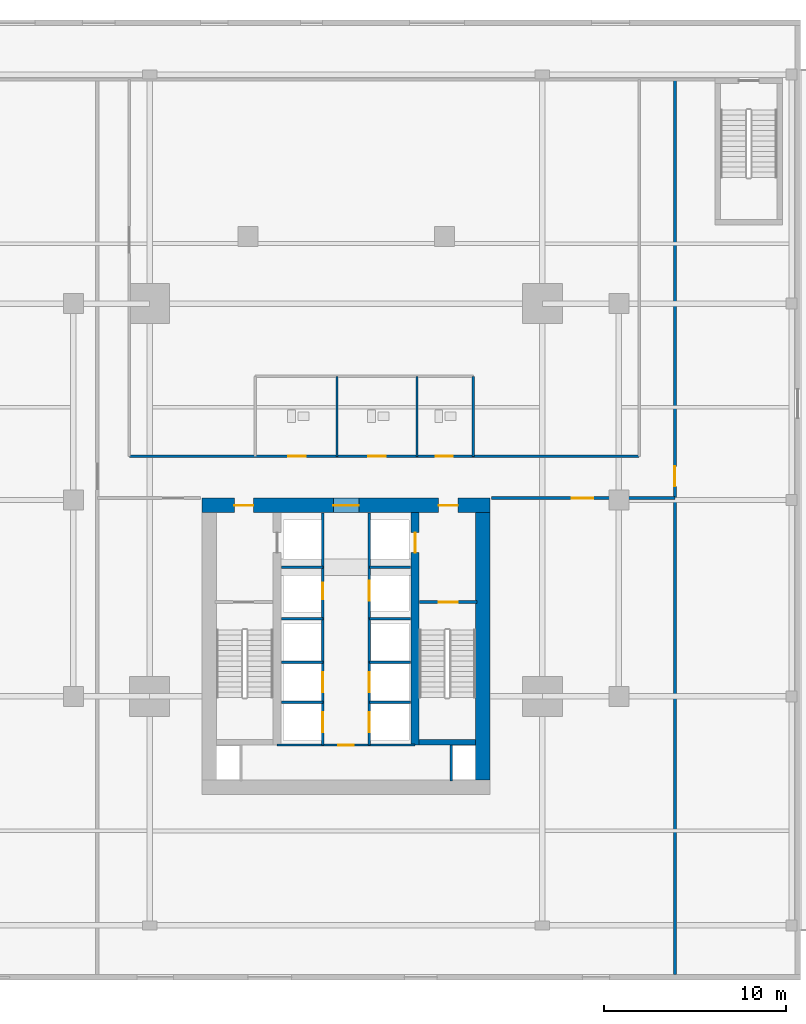
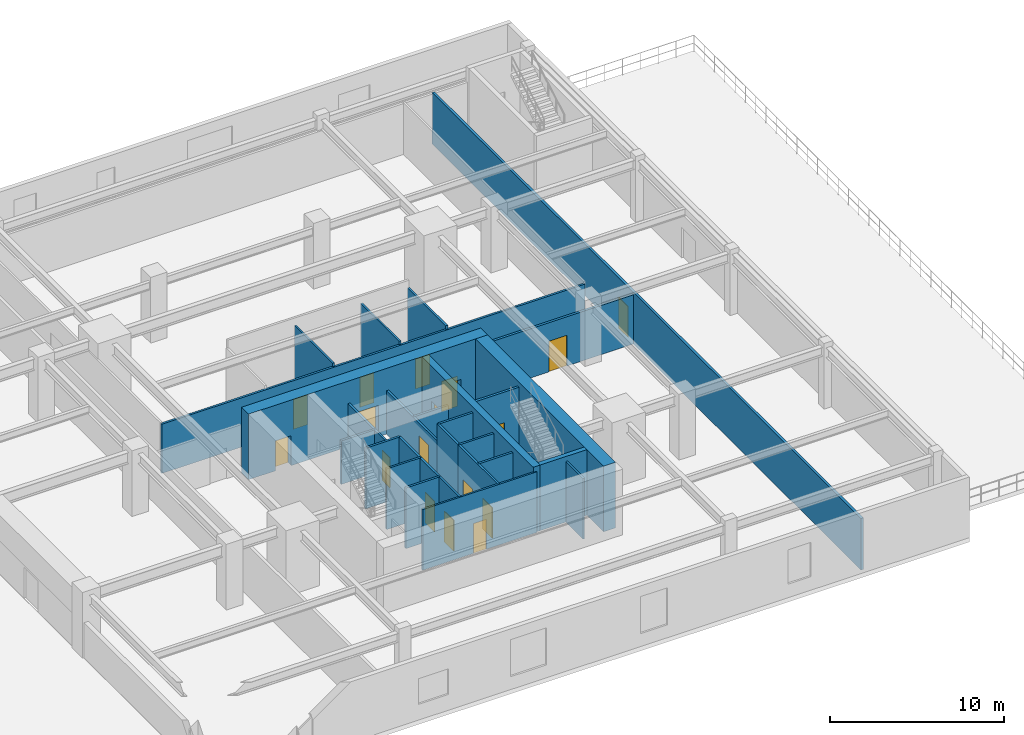
# One storey, part 3 of 9: 27 walls, 17 doors, 17 openings.
"""IFC4 building model written with IfcOpenShell, lengths in metres."""

from ifc_helpers import new_model, si_unit, direction, frame, frame_2d, origin, place, context, subcontext, project, spatial, rectangle, extrude, material, layer, layer_set, type_object, element, fill, save


model = new_model("IFC4")

# Units and contexts
model_context = context("Model", 3, precision=1e-05, world=origin(), true_north=direction((0.0, 1.0)))
body_context = subcontext(model_context, "Body", "Model", "MODEL_VIEW")
ifc_project = project(units=[si_unit("LENGTHUNIT", "METRE"), si_unit("AREAUNIT", "SQUARE_METRE"), si_unit("VOLUMEUNIT", "CUBIC_METRE"), si_unit("PLANEANGLEUNIT", "RADIAN"), si_unit("MASSUNIT", "GRAM", prefix="KILO")], contexts=[model_context])

# Site, building, storey
site_placement = place(None, origin())
site = spatial("IfcSite", under=ifc_project, at=site_placement, CompositionType="ELEMENT")
building_placement = place(site_placement, origin())
building = spatial("IfcBuilding", under=site, at=building_placement, Name="Krantzveldt Concourse Tower", CompositionType="ELEMENT")
storey_placement = place(building_placement, frame((0.0, 0.0, 15.39990234375)))
storey = spatial("IfcBuildingStorey", under=building, at=storey_placement, Name="L03", CompositionType="ELEMENT", Elevation=15.39990234375)

# Wall, opening, door
ifc_material_1 = material(Name="Fire-rated gypsum plasterboard on steel stud", Category="steel")
ifc_layer_1 = layer(ifc_material_1, 0.1201171875, Name="Fire-rated gypsum plasterboard on steel stud", Category="steel")
ifc_layer_set_1 = layer_set([ifc_layer_1], Name="Fire-rated gypsum plasterboard on steel stud (WL-PART-120)")
wall_type_1 = type_object("IfcWallType", Name="WL-PART-120", PredefinedType="PARTITIONING", material=ifc_layer_set_1)
wall_1_placement = place(storey_placement, frame((32.2099609375, 13.219970703125, 0.0), z_axis=(0.0, 0.0, 1.0), x_axis=(1.0, 0.0, 0.0)))
wall_1 = element("IfcWall", 1, at=wall_1_placement, inside=storey, type_object=wall_type_1, Name="WP-L03-CS2H", PredefinedType="PARTITIONING", context=body_context, shape_type="SweptSolid", body=[
    extrude(rectangle(XDim=7.580078125, YDim=0.1201171875, at=frame_2d((3.7900390625, 0.0))), origin(), (0.0, 0.0, 1.0), 4.25),
])
opening_1_placement = place(wall_1_placement, frame((3.364990234375, 0.0, 0.0)))
opening_1 = element("IfcOpeningElement", 2, at=opening_1_placement, cuts=wall_1, Name="Opening D-IN085", PredefinedType="OPENING", context=body_context, shape_type="SweptSolid", body=[
    extrude(rectangle(XDim=0.85009765625, YDim=2.10009765625, at=frame_2d((0.425048828125, 1.050048828125))), frame((0.0, 0.070068359375, 0.0), z_axis=(0.0, -1.0, 0.0), x_axis=(1.0, 0.0, 0.0)), (0.0, 0.0, 1.0), 0.14013671875),
])
ifc_material_2 = material(Name="Hardwood timber", Category="wood")
door_type_1 = type_object("IfcDoorType", Name="DR-INT-850", OperationType="SINGLE_SWING_LEFT", PredefinedType="DOOR", material=ifc_material_2)
door_1_placement = place(opening_1_placement, origin())
door_1 = element("IfcDoor", 3, at=door_1_placement, inside=storey, type_object=door_type_1, Name="DR-L03-CSC1", OperationType="SINGLE_SWING_RIGHT", OverallHeight=2.10009765625, OverallWidth=0.85009765625, PredefinedType="DOOR", context=body_context, shape_type="SweptSolid", body=[
    extrude(rectangle(XDim=0.85009765625, YDim=2.10009765625, at=frame_2d((0.425048828125, 1.050048828125))), frame((0.0, 0.02490234375, 0.0), z_axis=(0.0, -1.0, 0.0), x_axis=(1.0, 0.0, 0.0)), (0.0, 0.0, 1.0), 0.050048828125),
])
fill(opening_1, door_1)

# Walls
for number, where, z_axis, x_axis, name in (
    (4, (35.5, 29.10009765625, 0.0), (0.0, 0.0, 1.0), (0.0, 1.0, 0.0), "WP-L03-WCD1"),
    (5, (39.89990234375, 29.10009765625, 0.0), (0.0, 0.0, 1.0), (0.0, 1.0, 0.0), "WP-L03-WCD2"),
):
    element("IfcWall", number, at=place(storey_placement, frame(where, z_axis=z_axis, x_axis=x_axis)), inside=storey, type_object=wall_type_1, Name=name, PredefinedType="PARTITIONING", context=body_context, shape_type="SweptSolid", body=[
        extrude(rectangle(XDim=4.39990234375, YDim=0.1201171875, at=frame_2d((2.199951171875, 0.0))), origin(), (0.0, 0.0, 1.0), 3.7001953125),
    ])

# Wall, openings, doors
ifc_layer_2 = layer(ifc_material_1, 0.139892578125, Name="Fire-rated gypsum plasterboard on steel stud", Category="steel")
ifc_layer_set_2 = layer_set([ifc_layer_2], Name="Fire-rated gypsum plasterboard on steel stud (WL-PART-140)")
wall_type_2 = type_object("IfcWallType", Name="WL-PART-140", PredefinedType="PARTITIONING", material=ifc_layer_set_2)
wall_2_placement = place(storey_placement, frame((24.080078125, 29.10009765625, 0.0), z_axis=(0.0, 0.0, 1.0), x_axis=(1.0, 0.0, 0.0)))
wall_2 = element("IfcWall", 6, at=wall_2_placement, inside=storey, type_object=wall_type_2, Name="WP-L03-CN1", PredefinedType="PARTITIONING", context=body_context, shape_type="SweptSolid", body=[
    extrude(rectangle(XDim=28.0400390625, YDim=0.139892578125, at=frame_2d((14.02001953125, 0.0))), origin(), (0.0, 0.0, 1.0), 3.4501953125),
])
opening_2_placement = place(wall_2_placement, frame((8.7451171875, 0.0, 0.0)))
opening_2 = element("IfcOpeningElement", 7, at=opening_2_placement, cuts=wall_2, Name="Opening D-IN095", PredefinedType="OPENING", context=body_context, shape_type="SweptSolid", body=[
    extrude(rectangle(XDim=0.949951171875, YDim=2.10009765625, at=frame_2d((0.47509765625, 1.050048828125))), frame((0.0, 0.080078125, 0.0), z_axis=(0.0, -1.0, 0.0), x_axis=(1.0, 0.0, 0.0)), (0.0, 0.0, 1.0), 0.159912109375),
])
opening_3_placement = place(wall_2_placement, frame((13.14501953125, 0.0, 0.0)))
opening_3 = element("IfcOpeningElement", 8, at=opening_3_placement, cuts=wall_2, Name="Opening D-IN095", PredefinedType="OPENING", context=body_context, shape_type="SweptSolid", body=[
    extrude(rectangle(XDim=0.949951171875, YDim=2.10009765625, at=frame_2d((0.47509765625, 1.050048828125))), frame((0.0, 0.080078125, 0.0), z_axis=(0.0, -1.0, 0.0), x_axis=(1.0, 0.0, 0.0)), (0.0, 0.0, 1.0), 0.159912109375),
])
opening_4_placement = place(wall_2_placement, frame((16.844970703125, 0.0, 0.0)))
opening_4 = element("IfcOpeningElement", 9, at=opening_4_placement, cuts=wall_2, Name="Opening D-IN095", PredefinedType="OPENING", context=body_context, shape_type="SweptSolid", body=[
    extrude(rectangle(XDim=0.949951171875, YDim=2.10009765625, at=frame_2d((0.47509765625, 1.050048828125))), frame((0.0, 0.080078125, 0.0), z_axis=(0.0, -1.0, 0.0), x_axis=(1.0, 0.0, 0.0)), (0.0, 0.0, 1.0), 0.159912109375),
])
door_type_2 = type_object("IfcDoorType", Name="DR-INT-950", OperationType="SINGLE_SWING_LEFT", PredefinedType="DOOR", material=ifc_material_2)
door_2_placement = place(opening_2_placement, origin())
door_2 = element("IfcDoor", 10, at=door_2_placement, inside=storey, type_object=door_type_2, Name="DR-L03-WCM", OperationType="SINGLE_SWING_LEFT", OverallHeight=2.10009765625, OverallWidth=0.949951171875, PredefinedType="DOOR", context=body_context, shape_type="SweptSolid", body=[
    extrude(rectangle(XDim=0.949951171875, YDim=2.10009765625, at=frame_2d((0.47509765625, 1.050048828125))), frame((0.0, 0.02490234375, 0.0), z_axis=(0.0, -1.0, 0.0), x_axis=(1.0, 0.0, 0.0)), (0.0, 0.0, 1.0), 0.050048828125),
])
fill(opening_2, door_2)
door_3_placement = place(opening_3_placement, origin())
door_3 = element("IfcDoor", 11, at=door_3_placement, inside=storey, type_object=door_type_2, Name="DR-L03-WCF", OperationType="SINGLE_SWING_RIGHT", OverallHeight=2.10009765625, OverallWidth=0.949951171875, PredefinedType="DOOR", context=body_context, shape_type="SweptSolid", body=[
    extrude(rectangle(XDim=0.949951171875, YDim=2.10009765625, at=frame_2d((0.47509765625, 1.050048828125))), frame((0.0, 0.02490234375, 0.0), z_axis=(0.0, -1.0, 0.0), x_axis=(1.0, 0.0, 0.0)), (0.0, 0.0, 1.0), 0.050048828125),
])
fill(opening_3, door_3)
door_4_placement = place(opening_4_placement, origin())
door_4 = element("IfcDoor", 12, at=door_4_placement, inside=storey, type_object=door_type_2, Name="DR-L03-WCA", OperationType="SINGLE_SWING_LEFT", OverallHeight=2.10009765625, OverallWidth=0.949951171875, PredefinedType="DOOR", context=body_context, shape_type="SweptSolid", body=[
    extrude(rectangle(XDim=0.949951171875, YDim=2.10009765625, at=frame_2d((0.47509765625, 1.050048828125))), frame((0.0, 0.02490234375, 0.0), z_axis=(0.0, -1.0, 0.0), x_axis=(1.0, 0.0, 0.0)), (0.0, 0.0, 1.0), 0.050048828125),
])
fill(opening_4, door_4)

# Wall
wall_3_placement = place(storey_placement, frame((43.0, 29.10009765625, 0.0), z_axis=(0.0, 0.0, 1.0), x_axis=(0.0, 1.0, 0.0)))
element("IfcWall", 13, at=wall_3_placement, inside=storey, type_object=wall_type_2, Name="WP-L03-WCE", PredefinedType="PARTITIONING", context=body_context, shape_type="SweptSolid", body=[
    extrude(rectangle(XDim=4.39990234375, YDim=0.139892578125, at=frame_2d((2.199951171875, 0.0))), origin(), (0.0, 0.0, 1.0), 3.7001953125),
])

# Wall, opening, door
ifc_layer_3 = layer(ifc_material_1, 0.159912109375, Name="Fire-rated gypsum plasterboard on steel stud", Category="steel")
ifc_layer_set_3 = layer_set([ifc_layer_3], Name="Fire-rated gypsum plasterboard on steel stud (WL-PART-160)")
wall_type_3 = type_object("IfcWallType", Name="WL-PART-160", PredefinedType="PARTITIONING", material=ifc_layer_set_3)
wall_4_placement = place(storey_placement, frame((44.0, 26.800048828125, 0.0), z_axis=(0.0, 0.0, 1.0), x_axis=(1.0, 0.0, 0.0)))
wall_4 = element("IfcWall", 14, at=wall_4_placement, inside=storey, type_object=wall_type_3, Name="WP-L03-S2", PredefinedType="PARTITIONING", context=body_context, shape_type="SweptSolid", body=[
    extrude(rectangle(XDim=10.080078125, YDim=0.159912109375, at=frame_2d((5.0400390625, 0.0))), origin(), (0.0, 0.0, 1.0), 3.4501953125),
])
opening_5_placement = place(wall_4_placement, frame((4.39990234375, 0.0, 0.0)))
opening_5 = element("IfcOpeningElement", 15, at=opening_5_placement, cuts=wall_4, Name="Opening D-DB120", PredefinedType="OPENING", context=body_context, shape_type="SweptSolid", body=[
    extrude(rectangle(XDim=1.199951171875, YDim=2.14990234375, at=frame_2d((0.60009765625, 1.074951171875))), frame((0.0, 0.08984375, 0.0), z_axis=(0.0, -1.0, 0.0), x_axis=(1.0, 0.0, 0.0)), (0.0, 0.0, 1.0), 0.179931640625),
])
ifc_material_3 = material(Name="Anodised aluminium 6063-T6", Category="aluminium")
door_type_3 = type_object("IfcDoorType", Name="DR-DBL-1200", OperationType="SINGLE_SWING_LEFT", PredefinedType="DOOR", material=ifc_material_3)
door_5_placement = place(opening_5_placement, origin())
door_5 = element("IfcDoor", 16, at=door_5_placement, inside=storey, type_object=door_type_3, Name="DR-L03-CLN", OperationType="SINGLE_SWING_RIGHT", OverallHeight=2.14990234375, OverallWidth=1.199951171875, PredefinedType="DOOR", context=body_context, shape_type="SweptSolid", body=[
    extrude(rectangle(XDim=1.199951171875, YDim=2.14990234375, at=frame_2d((0.60009765625, 1.074951171875))), frame((0.0, 0.02490234375, 0.0), z_axis=(0.0, -1.0, 0.0), x_axis=(1.0, 0.0, 0.0)), (0.0, 0.0, 1.0), 0.050048828125),
])
fill(opening_5, door_5)

ifc_layer_4 = layer(ifc_material_1, 0.139892578125, Name="Fire-rated gypsum plasterboard on steel stud", Category="steel")
ifc_layer_set_4 = layer_set([ifc_layer_4], Name="Fire-rated gypsum plasterboard on steel stud (WL-PART-FR140)")
wall_type_4 = type_object("IfcWallType", Name="WL-PART-FR140", PredefinedType="PARTITIONING", material=ifc_layer_set_4)
wall_5_placement = place(storey_placement, frame((34.719970703125, 20.199951171875, 0.0), z_axis=(0.0, 0.0, 1.0), x_axis=(0.0, 1.0, 0.0)))
wall_5 = element("IfcWall", 17, at=wall_5_placement, inside=storey, type_object=wall_type_4, Name="WP-L03-SHNW", PredefinedType="PARTITIONING", context=body_context, shape_type="SweptSolid", body=[
    extrude(rectangle(XDim=5.780029296875, YDim=0.139892578125, at=frame_2d((2.89013671875, 0.0))), origin(), (0.0, 0.0, 1.0), 3.050048828125),
])
opening_6_placement = place(wall_5_placement, frame((1.050048828125, 0.0, 0.0)))
opening_6 = element("IfcOpeningElement", 18, at=opening_6_placement, cuts=wall_5, Name="Opening D-FD090", PredefinedType="OPENING", context=body_context, shape_type="SweptSolid", body=[
    extrude(rectangle(XDim=0.89990234375, YDim=2.10009765625, at=frame_2d((0.449951171875, 1.050048828125))), frame((0.0, 0.080078125, 0.0), z_axis=(0.0, -1.0, 0.0), x_axis=(1.0, 0.0, 0.0)), (0.0, 0.0, 1.0), 0.159912109375),
])
door_type_4 = type_object("IfcDoorType", Name="DR-FD60-900", OperationType="SINGLE_SWING_LEFT", PredefinedType="DOOR", material=ifc_material_2)
door_6_placement = place(opening_6_placement, origin())
door_6 = element("IfcDoor", 19, at=door_6_placement, inside=storey, type_object=door_type_4, Name="Electrical Riser Access Door L03", OperationType="SINGLE_SWING_LEFT", OverallHeight=2.10009765625, OverallWidth=0.89990234375, PredefinedType="DOOR", context=body_context, shape_type="SweptSolid", body=[
    extrude(rectangle(XDim=0.89990234375, YDim=2.10009765625, at=frame_2d((0.449951171875, 1.050048828125))), frame((0.0, 0.02490234375, 0.0), z_axis=(0.0, -1.0, 0.0), x_axis=(1.0, 0.0, 0.0)), (0.0, 0.0, 1.0), 0.050048828125),
])
fill(opening_6, door_6)

wall_6_placement = place(storey_placement, frame((37.280029296875, 20.199951171875, 0.0), z_axis=(0.0, 0.0, 1.0), x_axis=(0.0, 1.0, 0.0)))
wall_6 = element("IfcWall", 20, at=wall_6_placement, inside=storey, type_object=wall_type_4, Name="WP-L03-SHNE", PredefinedType="PARTITIONING", context=body_context, shape_type="SweptSolid", body=[
    extrude(rectangle(XDim=5.780029296875, YDim=0.139892578125, at=frame_2d((2.89013671875, 0.0))), origin(), (0.0, 0.0, 1.0), 3.050048828125),
])
opening_7_placement = place(wall_6_placement, frame((0.949951171875, 0.0, 0.0)))
opening_7 = element("IfcOpeningElement", 21, at=opening_7_placement, cuts=wall_6, Name="Opening LD", PredefinedType="OPENING", context=body_context, shape_type="SweptSolid", body=[
    extrude(rectangle(XDim=1.10009765625, YDim=2.14990234375, at=frame_2d((0.550048828125, 1.074951171875))), frame((0.0, 0.080078125, 0.0), z_axis=(0.0, -1.0, 0.0), x_axis=(1.0, 0.0, 0.0)), (0.0, 0.0, 1.0), 0.159912109375),
])
ifc_material_4 = material(Name="Stainless steel 316L", Category="steel")
door_type_5 = type_object("IfcDoorType", Name="DR-SLIDE-LD1100", OperationType="DOUBLE_DOOR_SLIDING", PredefinedType="DOOR", material=ifc_material_4)
door_7_placement = place(opening_7_placement, origin())
door_7 = element("IfcDoor", 22, at=door_7_placement, inside=storey, type_object=door_type_5, Name="LD-L03-GL1", OperationType="DOUBLE_DOOR_SLIDING", OverallHeight=2.14990234375, OverallWidth=1.10009765625, PredefinedType="DOOR", context=body_context, shape_type="SweptSolid", body=[
    extrude(rectangle(XDim=1.10009765625, YDim=2.14990234375, at=frame_2d((0.550048828125, 1.074951171875))), frame((0.0, 0.02490234375, 0.0), z_axis=(0.0, -1.0, 0.0), x_axis=(1.0, 0.0, 0.0)), (0.0, 0.0, 1.0), 0.050048828125),
])
fill(opening_7, door_7)

# Walls
for number, where, z_axis, x_axis, name in (
    (23, (32.449951171875, 23.0, 0.0), (0.0, 0.0, 1.0), (1.0, 0.0, 0.0), "WP-L03-RISH"),
    (24, (37.280029296875, 23.0, 0.0), (0.0, 0.0, 1.0), (1.0, 0.0, 0.0), "WP-L03-GLH"),
):
    element("IfcWall", number, at=place(storey_placement, frame(where, z_axis=z_axis, x_axis=x_axis)), inside=storey, type_object=wall_type_4, Name=name, PredefinedType="PARTITIONING", context=body_context, shape_type="SweptSolid", body=[
        extrude(rectangle(XDim=2.27001953125, YDim=0.139892578125, at=frame_2d((1.135009765625, 0.0))), origin(), (0.0, 0.0, 1.0), 3.050048828125),
    ])
for number, where, z_axis, x_axis, name in (
    (25, (34.719970703125, 17.780029296875, 0.0), (0.0, 0.0, 1.0), (0.0, 1.0, 0.0), "WP-L03-SHNW2"),
    (26, (37.280029296875, 17.780029296875, 0.0), (0.0, 0.0, 1.0), (0.0, 1.0, 0.0), "WP-L03-SHNE2"),
):
    element("IfcWall", number, at=place(storey_placement, frame(where, z_axis=z_axis, x_axis=x_axis)), inside=storey, type_object=wall_type_4, Name=name, PredefinedType="PARTITIONING", context=body_context, shape_type="SweptSolid", body=[
        extrude(rectangle(XDim=2.419921875, YDim=0.139892578125, at=frame_2d((1.2099609375, 0.0))), origin(), (0.0, 0.0, 1.0), 4.25),
    ])
for number, where, z_axis, x_axis, name in (
    (27, (32.449951171875, 17.780029296875, 0.0), (0.0, 0.0, 1.0), (1.0, 0.0, 0.0), "WP-L03-DIVW2"),
    (28, (32.449951171875, 20.179931640625, 0.0), (0.0, 0.0, 1.0), (1.0, 0.0, 0.0), "WP-L03-DIVW3"),
    (29, (37.280029296875, 17.780029296875, 0.0), (0.0, 0.0, 1.0), (1.0, 0.0, 0.0), "WP-L03-DIVE2"),
    (30, (37.280029296875, 20.179931640625, 0.0), (0.0, 0.0, 1.0), (1.0, 0.0, 0.0), "WP-L03-DIVE3"),
):
    element("IfcWall", number, at=place(storey_placement, frame(where, z_axis=z_axis, x_axis=x_axis)), inside=storey, type_object=wall_type_4, Name=name, PredefinedType="PARTITIONING", context=body_context, shape_type="SweptSolid", body=[
        extrude(rectangle(XDim=2.27001953125, YDim=0.139892578125, at=frame_2d((1.135009765625, 0.0))), origin(), (0.0, 0.0, 1.0), 4.25),
    ])

# Wall, openings, doors
wall_7_placement = place(storey_placement, frame((34.719970703125, 13.219970703125, 0.0), z_axis=(0.0, 0.0, 1.0), x_axis=(0.0, 1.0, 0.0)))
wall_7 = element("IfcWall", 31, at=wall_7_placement, inside=storey, type_object=wall_type_4, Name="WP-L03-SHSW", PredefinedType="PARTITIONING", context=body_context, shape_type="SweptSolid", body=[
    extrude(rectangle(XDim=4.56005859375, YDim=0.139892578125, at=frame_2d((2.280029296875, 0.0))), origin(), (0.0, 0.0, 1.0), 4.25),
])
opening_8_placement = place(wall_7_placement, frame((0.7099609375, 0.0, 0.0)))
opening_8 = element("IfcOpeningElement", 32, at=opening_8_placement, cuts=wall_7, Name="Opening LD", PredefinedType="OPENING", context=body_context, shape_type="SweptSolid", body=[
    extrude(rectangle(XDim=1.10009765625, YDim=2.14990234375, at=frame_2d((0.550048828125, 1.074951171875))), frame((0.0, 0.080078125, 0.0), z_axis=(0.0, -1.0, 0.0), x_axis=(1.0, 0.0, 0.0)), (0.0, 0.0, 1.0), 0.159912109375),
])
opening_9_placement = place(wall_7_placement, frame((2.909912109375, 0.0, 0.0)))
opening_9 = element("IfcOpeningElement", 33, at=opening_9_placement, cuts=wall_7, Name="Opening LD", PredefinedType="OPENING", context=body_context, shape_type="SweptSolid", body=[
    extrude(rectangle(XDim=1.10009765625, YDim=2.14990234375, at=frame_2d((0.550048828125, 1.074951171875))), frame((0.0, 0.080078125, 0.0), z_axis=(0.0, -1.0, 0.0), x_axis=(1.0, 0.0, 0.0)), (0.0, 0.0, 1.0), 0.159912109375),
])
door_8_placement = place(opening_8_placement, origin())
door_8 = element("IfcDoor", 34, at=door_8_placement, inside=storey, type_object=door_type_5, Name="LD-L03-PL1", OperationType="DOUBLE_DOOR_SLIDING", OverallHeight=2.14990234375, OverallWidth=1.10009765625, PredefinedType="DOOR", context=body_context, shape_type="SweptSolid", body=[
    extrude(rectangle(XDim=1.10009765625, YDim=2.14990234375, at=frame_2d((0.550048828125, 1.074951171875))), frame((0.0, 0.02490234375, 0.0), z_axis=(0.0, -1.0, 0.0), x_axis=(1.0, 0.0, 0.0)), (0.0, 0.0, 1.0), 0.050048828125),
])
fill(opening_8, door_8)
door_9_placement = place(opening_9_placement, origin())
door_9 = element("IfcDoor", 35, at=door_9_placement, inside=storey, type_object=door_type_5, Name="LD-L03-PL2", OperationType="DOUBLE_DOOR_SLIDING", OverallHeight=2.14990234375, OverallWidth=1.10009765625, PredefinedType="DOOR", context=body_context, shape_type="SweptSolid", body=[
    extrude(rectangle(XDim=1.10009765625, YDim=2.14990234375, at=frame_2d((0.550048828125, 1.074951171875))), frame((0.0, 0.02490234375, 0.0), z_axis=(0.0, -1.0, 0.0), x_axis=(1.0, 0.0, 0.0)), (0.0, 0.0, 1.0), 0.050048828125),
])
fill(opening_9, door_9)

# Wall
wall_8_placement = place(storey_placement, frame((32.449951171875, 15.580078125, 0.0), z_axis=(0.0, 0.0, 1.0), x_axis=(1.0, 0.0, 0.0)))
element("IfcWall", 36, at=wall_8_placement, inside=storey, type_object=wall_type_4, Name="WP-L03-DIVW1", PredefinedType="PARTITIONING", context=body_context, shape_type="SweptSolid", body=[
    extrude(rectangle(XDim=2.27001953125, YDim=0.139892578125, at=frame_2d((1.135009765625, 0.0))), origin(), (0.0, 0.0, 1.0), 4.25),
])

# Wall, openings, doors
wall_9_placement = place(storey_placement, frame((37.280029296875, 13.219970703125, 0.0), z_axis=(0.0, 0.0, 1.0), x_axis=(0.0, 1.0, 0.0)))
wall_9 = element("IfcWall", 37, at=wall_9_placement, inside=storey, type_object=wall_type_4, Name="WP-L03-SHSE", PredefinedType="PARTITIONING", context=body_context, shape_type="SweptSolid", body=[
    extrude(rectangle(XDim=4.56005859375, YDim=0.139892578125, at=frame_2d((2.280029296875, 0.0))), origin(), (0.0, 0.0, 1.0), 4.25),
])
opening_10_placement = place(wall_9_placement, frame((0.7099609375, 0.0, 0.0)))
opening_10 = element("IfcOpeningElement", 38, at=opening_10_placement, cuts=wall_9, Name="Opening LD", PredefinedType="OPENING", context=body_context, shape_type="SweptSolid", body=[
    extrude(rectangle(XDim=1.10009765625, YDim=2.14990234375, at=frame_2d((0.550048828125, 1.074951171875))), frame((0.0, 0.080078125, 0.0), z_axis=(0.0, -1.0, 0.0), x_axis=(1.0, 0.0, 0.0)), (0.0, 0.0, 1.0), 0.159912109375),
])
opening_11_placement = place(wall_9_placement, frame((2.909912109375, 0.0, 0.0)))
opening_11 = element("IfcOpeningElement", 39, at=opening_11_placement, cuts=wall_9, Name="Opening LD", PredefinedType="OPENING", context=body_context, shape_type="SweptSolid", body=[
    extrude(rectangle(XDim=1.10009765625, YDim=2.14990234375, at=frame_2d((0.550048828125, 1.074951171875))), frame((0.0, 0.080078125, 0.0), z_axis=(0.0, -1.0, 0.0), x_axis=(1.0, 0.0, 0.0)), (0.0, 0.0, 1.0), 0.159912109375),
])
door_10_placement = place(opening_10_placement, origin())
door_10 = element("IfcDoor", 40, at=door_10_placement, inside=storey, type_object=door_type_5, Name="LD-L03-PM1", OperationType="DOUBLE_DOOR_SLIDING", OverallHeight=2.14990234375, OverallWidth=1.10009765625, PredefinedType="DOOR", context=body_context, shape_type="SweptSolid", body=[
    extrude(rectangle(XDim=1.10009765625, YDim=2.14990234375, at=frame_2d((0.550048828125, 1.074951171875))), frame((0.0, 0.02490234375, 0.0), z_axis=(0.0, -1.0, 0.0), x_axis=(1.0, 0.0, 0.0)), (0.0, 0.0, 1.0), 0.050048828125),
])
fill(opening_10, door_10)
door_11_placement = place(opening_11_placement, origin())
door_11 = element("IfcDoor", 41, at=door_11_placement, inside=storey, type_object=door_type_5, Name="LD-L03-PM2", OperationType="DOUBLE_DOOR_SLIDING", OverallHeight=2.14990234375, OverallWidth=1.10009765625, PredefinedType="DOOR", context=body_context, shape_type="SweptSolid", body=[
    extrude(rectangle(XDim=1.10009765625, YDim=2.14990234375, at=frame_2d((0.550048828125, 1.074951171875))), frame((0.0, 0.02490234375, 0.0), z_axis=(0.0, -1.0, 0.0), x_axis=(1.0, 0.0, 0.0)), (0.0, 0.0, 1.0), 0.050048828125),
])
fill(opening_11, door_11)

# Walls
wall_10_placement = place(storey_placement, frame((37.280029296875, 15.580078125, 0.0), z_axis=(0.0, 0.0, 1.0), x_axis=(1.0, 0.0, 0.0)))
element("IfcWall", 42, at=wall_10_placement, inside=storey, type_object=wall_type_4, Name="WP-L03-DIVE1", PredefinedType="PARTITIONING", context=body_context, shape_type="SweptSolid", body=[
    extrude(rectangle(XDim=2.27001953125, YDim=0.139892578125, at=frame_2d((1.135009765625, 0.0))), origin(), (0.0, 0.0, 1.0), 4.25),
])
wall_11_placement = place(storey_placement, frame((41.780029296875, 11.25, 0.0), z_axis=(0.0, 0.0, 1.0), x_axis=(0.0, 1.0, 0.0)))
element("IfcWall", 43, at=wall_11_placement, inside=storey, type_object=wall_type_4, Name="WP-L03-RSE", PredefinedType="PARTITIONING", context=body_context, shape_type="SweptSolid", body=[
    extrude(rectangle(XDim=1.969970703125, YDim=0.1201171875, at=frame_2d((0.98486328125, 0.0))), origin(), (0.0, 0.0, 1.0), 4.25),
])

# Wall, opening, door
ifc_layer_5 = layer(ifc_material_1, 0.159912109375, Name="Fire-rated gypsum plasterboard on steel stud", Category="steel")
ifc_layer_set_5 = layer_set([ifc_layer_5], Name="Fire-rated gypsum plasterboard on steel stud (WL-PART-FR160)")
wall_type_5 = type_object("IfcWallType", Name="WL-PART-FR160", PredefinedType="PARTITIONING", material=ifc_layer_set_5)
wall_12_placement = place(storey_placement, frame((40.0400390625, 21.080078125, 0.0), z_axis=(0.0, 0.0, 1.0), x_axis=(1.0, 0.0, 0.0)))
wall_12 = element("IfcWall", 44, at=wall_12_placement, inside=storey, type_object=wall_type_5, Name="WP-L03-ST2", PredefinedType="PARTITIONING", context=body_context, shape_type="SweptSolid", body=[
    extrude(rectangle(XDim=3.159912109375, YDim=0.159912109375, at=frame_2d((1.580078125, 0.0))), origin(), (0.0, 0.0, 1.0), 4.25),
])
opening_12_placement = place(wall_12_placement, frame((1.054931640625, 0.0, 0.0)))
opening_12 = element("IfcOpeningElement", 45, at=opening_12_placement, cuts=wall_12, Name="Opening D-FD105", PredefinedType="OPENING", context=body_context, shape_type="SweptSolid", body=[
    extrude(rectangle(XDim=1.050048828125, YDim=2.10009765625, at=frame_2d((0.52490234375, 1.050048828125))), frame((0.0, 0.08984375, 0.0), z_axis=(0.0, -1.0, 0.0), x_axis=(1.0, 0.0, 0.0)), (0.0, 0.0, 1.0), 0.179931640625),
])
ifc_material_5 = material(Name="Galvanised steel", Category="steel")
door_type_6 = type_object("IfcDoorType", Name="DR-FD120-1050", OperationType="SINGLE_SWING_LEFT", PredefinedType="DOOR", material=ifc_material_5)
door_12_placement = place(opening_12_placement, origin())
door_12 = element("IfcDoor", 46, at=door_12_placement, inside=storey, type_object=door_type_6, Name="DR-L03-ST2", OperationType="SINGLE_SWING_LEFT", OverallHeight=2.10009765625, OverallWidth=1.050048828125, PredefinedType="DOOR", context=body_context, shape_type="SweptSolid", body=[
    extrude(rectangle(XDim=1.050048828125, YDim=2.10009765625, at=frame_2d((0.52490234375, 1.050048828125))), frame((0.0, 0.02490234375, 0.0), z_axis=(0.0, -1.0, 0.0), x_axis=(1.0, 0.0, 0.0)), (0.0, 0.0, 1.0), 0.050048828125),
])
fill(opening_12, door_12)

wall_13_placement = place(storey_placement, frame((54.080078125, 0.60498046875, 0.0), z_axis=(0.0, 0.0, 1.0), x_axis=(0.0, 1.0, 0.0)))
wall_13 = element("IfcWall", 47, at=wall_13_placement, inside=storey, type_object=wall_type_5, Name="WP-L03-CEL2", PredefinedType="PARTITIONING", context=body_context, shape_type="SweptSolid", body=[
    extrude(rectangle(XDim=49.215087890625, YDim=0.159912109375, at=frame_2d((24.607421875, 0.0))), origin(), (0.0, 0.0, 1.0), 3.610107421875),
])
opening_13_placement = place(wall_13_placement, frame((26.844970703125, 0.0, 0.0)))
opening_13 = element("IfcOpeningElement", 48, at=opening_13_placement, cuts=wall_13, Name="Opening D-FD611", PredefinedType="OPENING", context=body_context, shape_type="SweptSolid", body=[
    extrude(rectangle(XDim=1.10009765625, YDim=2.14990234375, at=frame_2d((0.550048828125, 1.074951171875))), frame((0.0, 0.08984375, 0.0), z_axis=(0.0, -1.0, 0.0), x_axis=(1.0, 0.0, 0.0)), (0.0, 0.0, 1.0), 0.179931640625),
])
door_type_7 = type_object("IfcDoorType", Name="DR-FD60-1100", OperationType="SINGLE_SWING_LEFT", PredefinedType="DOOR", material=ifc_material_2)
door_13_placement = place(opening_13_placement, origin())
door_13 = element("IfcDoor", 49, at=door_13_placement, inside=storey, type_object=door_type_7, Name="DR-L03-GYM", OperationType="SINGLE_SWING_LEFT", OverallHeight=2.14990234375, OverallWidth=1.10009765625, PredefinedType="DOOR", context=body_context, shape_type="SweptSolid", body=[
    extrude(rectangle(XDim=1.10009765625, YDim=2.14990234375, at=frame_2d((0.550048828125, 1.074951171875))), frame((0.0, 0.02490234375, 0.0), z_axis=(0.0, -1.0, 0.0), x_axis=(1.0, 0.0, 0.0)), (0.0, 0.0, 1.0), 0.050048828125),
])
fill(opening_13, door_13)

# Wall
ifc_material_6 = material(Name="Concrete C50/60", Category="concrete")
ifc_layer_6 = layer(ifc_material_6, 0.300048828125, Name="Concrete C50/60", Category="concrete")
ifc_layer_set_6 = layer_set([ifc_layer_6], Name="Concrete C50/60 (WL-SHEAR-300)")
wall_type_6 = type_object("IfcWallType", Name="WL-SHEAR-300", PredefinedType="SHEAR", material=ifc_layer_set_6)
wall_14_placement = place(storey_placement, frame((40.02001953125, 13.3701171875, 0.0), z_axis=(0.0, 0.0, 1.0), x_axis=(1.0, 0.0, 0.0)))
element("IfcWall", 50, at=wall_14_placement, inside=storey, type_object=wall_type_6, Name="CW-L03-ST2S", PredefinedType="SHEAR", context=body_context, shape_type="SweptSolid", body=[
    extrude(rectangle(XDim=3.10009765625, YDim=0.300048828125, at=frame_2d((1.550048828125, 0.0))), origin(), (0.0, 0.0, 1.0), 4.60009765625),
])

# Wall, opening, door
ifc_layer_7 = layer(ifc_material_6, 0.449951171875, Name="Concrete C50/60", Category="concrete")
ifc_layer_set_7 = layer_set([ifc_layer_7], Name="Concrete C50/60 (WL-SHEAR-450)")
wall_type_7 = type_object("IfcWallType", Name="WL-SHEAR-450", PredefinedType="SHEAR", material=ifc_layer_set_7)
wall_15_placement = place(storey_placement, frame((39.794921875, 13.219970703125, 0.0), z_axis=(0.0, 0.0, 1.0), x_axis=(0.0, 1.0, 0.0)))
wall_15 = element("IfcWall", 51, at=wall_15_placement, inside=storey, type_object=wall_type_7, Name="CW-L03-IE", PredefinedType="SHEAR", context=body_context, shape_type="SweptSolid", body=[
    extrude(rectangle(XDim=12.780029296875, YDim=0.449951171875, at=frame_2d((6.39013671875, 0.0))), origin(), (0.0, 0.0, 1.0), 4.60009765625),
])
opening_14_placement = place(wall_15_placement, frame((10.580078125, 0.0, 0.0)))
opening_14 = element("IfcOpeningElement", 52, at=opening_14_placement, cuts=wall_15, Name="Opening LD", PredefinedType="OPENING", context=body_context, shape_type="SweptSolid", body=[
    extrude(rectangle(XDim=1.10009765625, YDim=2.14990234375, at=frame_2d((0.550048828125, 1.074951171875))), frame((0.0, 0.23486328125, 0.0), z_axis=(0.0, -1.0, 0.0), x_axis=(1.0, 0.0, 0.0)), (0.0, 0.0, 1.0), 0.469970703125),
])
door_14_placement = place(opening_14_placement, origin())
door_14 = element("IfcDoor", 53, at=door_14_placement, inside=storey, type_object=door_type_5, Name="LD-L03-FL2", OperationType="DOUBLE_DOOR_SLIDING", OverallHeight=2.14990234375, OverallWidth=1.10009765625, PredefinedType="DOOR", context=body_context, shape_type="SweptSolid", body=[
    extrude(rectangle(XDim=1.10009765625, YDim=2.14990234375, at=frame_2d((0.550048828125, 1.074951171875))), frame((0.0, 0.02490234375, 0.0), z_axis=(0.0, -1.0, 0.0), x_axis=(1.0, 0.0, 0.0)), (0.0, 0.0, 1.0), 0.050048828125),
])
fill(opening_14, door_14)

# Wall, openings, doors
ifc_material_7 = material(Name="Concrete C60/75", Category="concrete")
ifc_layer_8 = layer(ifc_material_7, 0.800048828125, Name="Concrete C60/75", Category="concrete")
ifc_layer_set_8 = layer_set([ifc_layer_8], Name="Concrete C60/75 (WL-SHEAR-800)")
wall_type_8 = type_object("IfcWallType", Name="WL-SHEAR-800", PredefinedType="SHEAR", material=ifc_layer_set_8)
wall_16_placement = place(storey_placement, frame((28.080078125, 26.39990234375, 0.0), z_axis=(0.0, 0.0, 1.0), x_axis=(1.0, 0.0, 0.0)))
wall_16 = element("IfcWall", 54, at=wall_16_placement, inside=storey, type_object=wall_type_8, Name="CW-L03-N", PredefinedType="SHEAR", context=body_context, shape_type="SweptSolid", body=[
    extrude(rectangle(XDim=15.83984375, YDim=0.800048828125, at=frame_2d((7.919921875, 0.0))), origin(), (0.0, 0.0, 1.0), 4.60009765625),
])
opening_15_placement = place(wall_16_placement, frame((7.219970703125, 0.0, 0.0)))
opening_15 = element("IfcOpeningElement", 55, at=opening_15_placement, cuts=wall_16, Name="Opening D-DB140", PredefinedType="OPENING", context=body_context, shape_type="SweptSolid", body=[
    extrude(rectangle(XDim=1.39990234375, YDim=2.199951171875, at=frame_2d((0.699951171875, 1.10009765625))), frame((0.0, 0.41015625, 0.0), z_axis=(0.0, -1.0, 0.0), x_axis=(1.0, 0.0, 0.0)), (0.0, 0.0, 1.0), 0.820068359375),
])
opening_16_placement = place(wall_16_placement, frame((1.77490234375, 0.0, 0.0)))
opening_16 = element("IfcOpeningElement", 56, at=opening_16_placement, cuts=wall_16, Name="Opening D-FD105", PredefinedType="OPENING", context=body_context, shape_type="SweptSolid", body=[
    extrude(rectangle(XDim=1.050048828125, YDim=2.10009765625, at=frame_2d((0.52490234375, 1.050048828125))), frame((0.0, 0.41015625, 0.0), z_axis=(0.0, -1.0, 0.0), x_axis=(1.0, 0.0, 0.0)), (0.0, 0.0, 1.0), 0.820068359375),
])
opening_17_placement = place(wall_16_placement, frame((13.014892578125, 0.0, 0.0)))
opening_17 = element("IfcOpeningElement", 57, at=opening_17_placement, cuts=wall_16, Name="Opening D-FD105", PredefinedType="OPENING", context=body_context, shape_type="SweptSolid", body=[
    extrude(rectangle(XDim=1.050048828125, YDim=2.10009765625, at=frame_2d((0.52490234375, 1.050048828125))), frame((0.0, 0.41015625, 0.0), z_axis=(0.0, -1.0, 0.0), x_axis=(1.0, 0.0, 0.0)), (0.0, 0.0, 1.0), 0.820068359375),
])
door_type_8 = type_object("IfcDoorType", Name="DR-DBL-1400", OperationType="DOUBLE_DOOR_SINGLE_SWING", PredefinedType="DOOR", material=ifc_material_3)
door_15_placement = place(opening_15_placement, origin())
door_15 = element("IfcDoor", 58, at=door_15_placement, inside=storey, type_object=door_type_8, Name="DR-L03-LLB", OperationType="DOUBLE_DOOR_SINGLE_SWING", OverallHeight=2.199951171875, OverallWidth=1.39990234375, PredefinedType="DOOR", context=body_context, shape_type="SweptSolid", body=[
    extrude(rectangle(XDim=1.39990234375, YDim=2.199951171875, at=frame_2d((0.699951171875, 1.10009765625))), frame((0.0, 0.02490234375, 0.0), z_axis=(0.0, -1.0, 0.0), x_axis=(1.0, 0.0, 0.0)), (0.0, 0.0, 1.0), 0.050048828125),
])
fill(opening_15, door_15)
door_16_placement = place(opening_16_placement, origin())
door_16 = element("IfcDoor", 59, at=door_16_placement, inside=storey, type_object=door_type_6, Name="DR-L03-FFL1", OperationType="SINGLE_SWING_LEFT", OverallHeight=2.10009765625, OverallWidth=1.050048828125, PredefinedType="DOOR", context=body_context, shape_type="SweptSolid", body=[
    extrude(rectangle(XDim=1.050048828125, YDim=2.10009765625, at=frame_2d((0.52490234375, 1.050048828125))), frame((0.0, 0.02490234375, 0.0), z_axis=(0.0, -1.0, 0.0), x_axis=(1.0, 0.0, 0.0)), (0.0, 0.0, 1.0), 0.050048828125),
])
fill(opening_16, door_16)
door_17_placement = place(opening_17_placement, origin())
door_17 = element("IfcDoor", 60, at=door_17_placement, inside=storey, type_object=door_type_6, Name="DR-L03-FFL2", OperationType="SINGLE_SWING_RIGHT", OverallHeight=2.10009765625, OverallWidth=1.050048828125, PredefinedType="DOOR", context=body_context, shape_type="SweptSolid", body=[
    extrude(rectangle(XDim=1.050048828125, YDim=2.10009765625, at=frame_2d((0.52490234375, 1.050048828125))), frame((0.0, 0.02490234375, 0.0), z_axis=(0.0, -1.0, 0.0), x_axis=(1.0, 0.0, 0.0)), (0.0, 0.0, 1.0), 0.050048828125),
])
fill(opening_17, door_17)

# Wall
wall_17_placement = place(storey_placement, frame((43.52001953125, 11.300048828125, 0.0), z_axis=(0.0, 0.0, 1.0), x_axis=(0.0, 1.0, 0.0)))
element("IfcWall", 61, at=wall_17_placement, inside=storey, type_object=wall_type_8, Name="CW-L03-E", PredefinedType="SHEAR", context=body_context, shape_type="SweptSolid", body=[
    extrude(rectangle(XDim=14.699951171875, YDim=0.800048828125, at=frame_2d((7.35009765625, 0.0))), origin(), (0.0, 0.0, 1.0), 4.60009765625),
])

save(model, "model.ifc")
